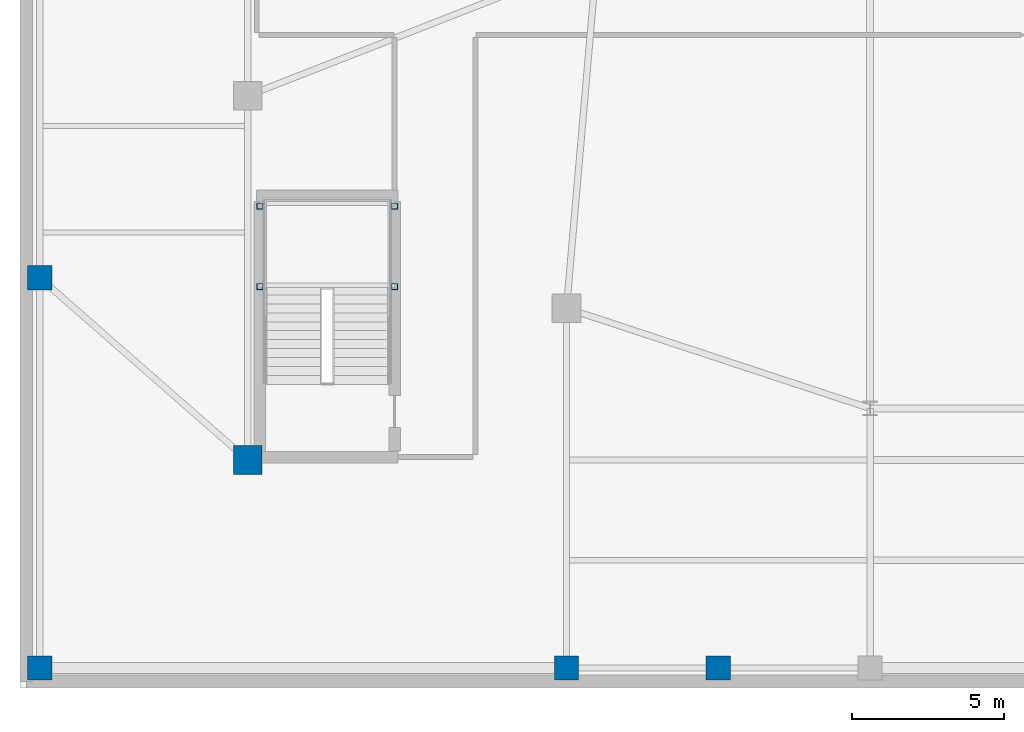
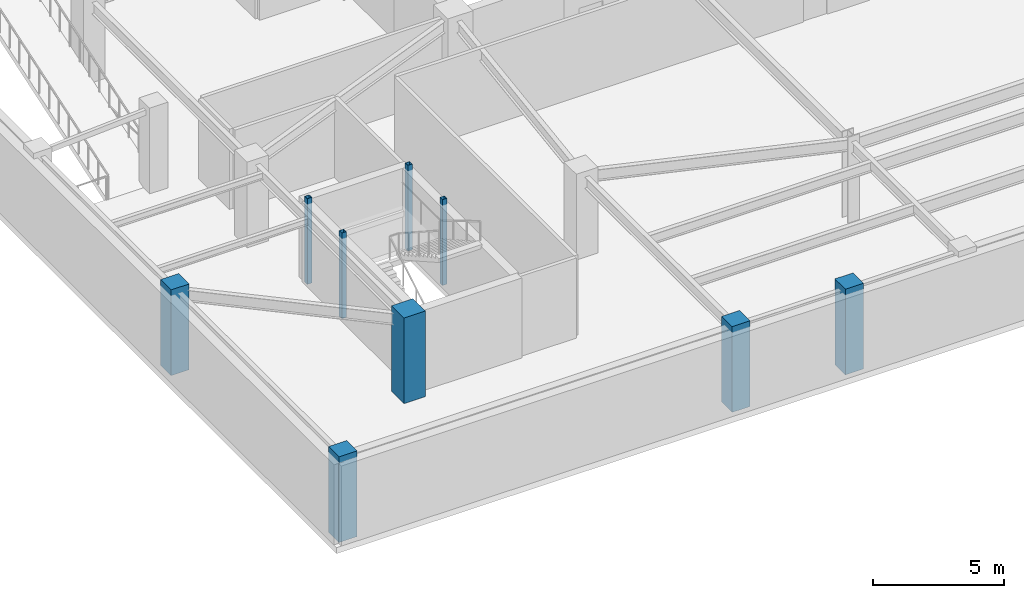
# One storey, part 1 of 8: 9 columns.
"""IFC4 building model written with IfcOpenShell, lengths in metres."""

from ifc_helpers import new_model, si_unit, direction, frame, origin, origin_2d, place, context, subcontext, project, spatial, rectangle, hollow_rectangle, extrude, source, transform, mapped, material, material_profile, profile_set, type_object, element, save


model = new_model("IFC4")

# Units and contexts
model_context = context("Model", 3, precision=1e-05, world=origin(), true_north=direction((0.0, 1.0)))
body_context = subcontext(model_context, "Body", "Model", "MODEL_VIEW")
ifc_project = project(units=[si_unit("LENGTHUNIT", "METRE"), si_unit("AREAUNIT", "SQUARE_METRE"), si_unit("VOLUMEUNIT", "CUBIC_METRE"), si_unit("PLANEANGLEUNIT", "RADIAN"), si_unit("MASSUNIT", "GRAM", prefix="KILO")], contexts=[model_context])

# Site, building, storey
site_placement = place(None, origin())
site = spatial("IfcSite", under=ifc_project, at=site_placement, CompositionType="ELEMENT")
building_placement = place(site_placement, origin())
building = spatial("IfcBuilding", under=site, at=building_placement, Name="Taldren Reach Tower", CompositionType="ELEMENT")
storey_placement = place(building_placement, frame((0.0, 0.0, -4.0)))
storey = spatial("IfcBuildingStorey", under=building, at=storey_placement, Name="B1", CompositionType="ELEMENT", Elevation=-4.0)

# Columns
ifc_material_1 = material(Name="Concrete S80 (80 MPa)", Category="concrete")
ifc_material_profile_1 = material_profile(ifc_material_1, rectangle(XDim=0.949951171875, YDim=0.949951171875, at=origin_2d()), Name="RC-950x950")
ifc_profile_set_1 = profile_set([ifc_material_profile_1], Name="Concrete S80 (80 MPa)")
column_type_1 = type_object("IfcColumnType", Name="COL-RC950", PredefinedType="COLUMN", material=ifc_profile_set_1)
shared_shape_1 = source(origin(), body_context, "Body", "SweptSolid", [
    extrude(rectangle(XDim=0.949951171875, YDim=0.949951171875, at=origin_2d()), origin(), (0.0, 0.0, 1.0), 4.0),
])
column_placement = place(storey_placement, frame((7.5, 7.5, 0.0), z_axis=(0.0, 0.0, 1.0), x_axis=(1.0, 0.0, 0.0)))
element("IfcColumn", 1, at=column_placement, inside=storey, type_object=column_type_1, Name="Podium structural column PG-1 B1", PredefinedType="COLUMN", context=body_context, shape_type="MappedRepresentation", body=[
    mapped(shared_shape_1, transform((0.0, 0.0, 0.0), scale=1.0)),
])
ifc_material_2 = material(Name="Concrete S65 (65 MPa)", Category="concrete")
ifc_material_profile_2 = material_profile(ifc_material_2, rectangle(XDim=0.800048828125, YDim=0.800048828125, at=origin_2d()), Name="RC-800x800")
ifc_profile_set_2 = profile_set([ifc_material_profile_2], Name="Concrete S65 (65 MPa)")
column_type_2 = type_object("IfcColumnType", Name="COL-RC800", PredefinedType="COLUMN", material=ifc_profile_set_2)
shared_shape_2 = source(origin(), body_context, "Body", "SweptSolid", [
    extrude(rectangle(XDim=0.800048828125, YDim=0.800048828125, at=origin_2d()), origin(), (0.0, 0.0, 1.0), 4.0),
])
for number, where, z_axis, x_axis, name in (
    (2, (0.64990234375, 0.64990234375, 0.0), (0.0, 0.0, 1.0), (1.0, 0.0, 0.0), "Podium structural column PP-W1 B1"),
    (3, (0.64990234375, 13.5, 0.0), (0.0, 0.0, 1.0), (1.0, 0.0, 0.0), "Podium structural column PP-W2 B1"),
    (4, (18.0, 0.64990234375, 0.0), (0.0, 0.0, 1.0), (1.0, 0.0, 0.0), "Podium structural column PP-S1 B1"),
    (5, (23.0, 0.64990234375, 0.0), (0.0, 0.0, 1.0), (1.0, 0.0, 0.0), "Podium structural column PP-S2 B1"),
):
    element("IfcColumn", number, at=place(storey_placement, frame(where, z_axis=z_axis, x_axis=x_axis)), inside=storey, type_object=column_type_2, Name=name, PredefinedType="COLUMN", context=body_context, shape_type="MappedRepresentation", body=[
        mapped(shared_shape_2, transform((0.0, 0.0, 0.0), scale=1.0)),
    ])
ifc_material_3 = material(Name="Steel Gr 350 (C350L0)", Category="steel")
ifc_material_profile_3 = material_profile(ifc_material_3, hollow_rectangle(XDim=0.199951171875, YDim=0.199951171875, WallThickness=0.009033203125, at=origin_2d()), Name="200x200x9.0SHS")
ifc_profile_set_3 = profile_set([ifc_material_profile_3], Name="Steel Gr 350 (C350L0)")
column_type_3 = type_object("IfcColumnType", Name="COL-SHS200", PredefinedType="COLUMN", material=ifc_profile_set_3)
shared_shape_3 = source(origin(), body_context, "Body", "SweptSolid", [
    extrude(hollow_rectangle(XDim=0.199951171875, YDim=0.199951171875, WallThickness=0.009033203125, at=origin_2d()), origin(), (0.0, 0.0, 1.0), 4.0),
])
for number, where, z_axis, x_axis, name in (
    (6, (7.89990234375, 13.215087890625, 0.0), (0.0, 0.0, 1.0), (1.0, 0.0, 0.0), "Podium stair ST3 structural post 1 B1"),
    (7, (12.340087890625, 13.215087890625, 0.0), (0.0, 0.0, 1.0), (1.0, 0.0, 0.0), "Podium stair ST3 structural post 2 B1"),
    (8, (7.89990234375, 15.860107421875, 0.0), (0.0, 0.0, 1.0), (1.0, 0.0, 0.0), "Podium stair ST3 structural post 3 B1"),
    (9, (12.340087890625, 15.860107421875, 0.0), (0.0, 0.0, 1.0), (1.0, 0.0, 0.0), "Podium stair ST3 structural post 4 B1"),
):
    element("IfcColumn", number, at=place(storey_placement, frame(where, z_axis=z_axis, x_axis=x_axis)), inside=storey, type_object=column_type_3, Name=name, PredefinedType="COLUMN", context=body_context, shape_type="MappedRepresentation", body=[
        mapped(shared_shape_3, transform((0.0, 0.0, 0.0), scale=1.0)),
    ])

save(model, "model.ifc")
